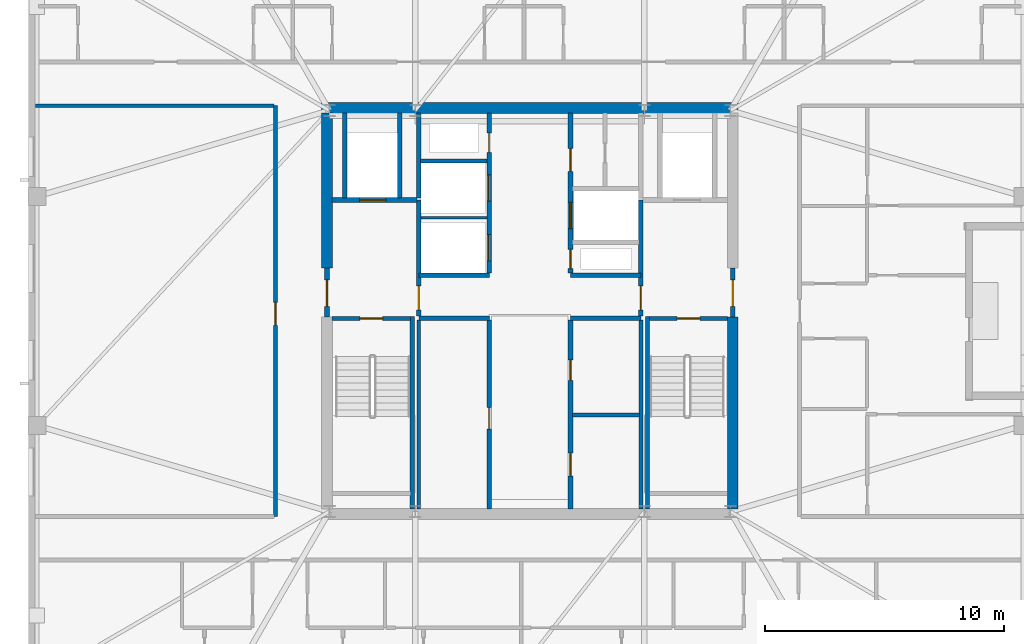
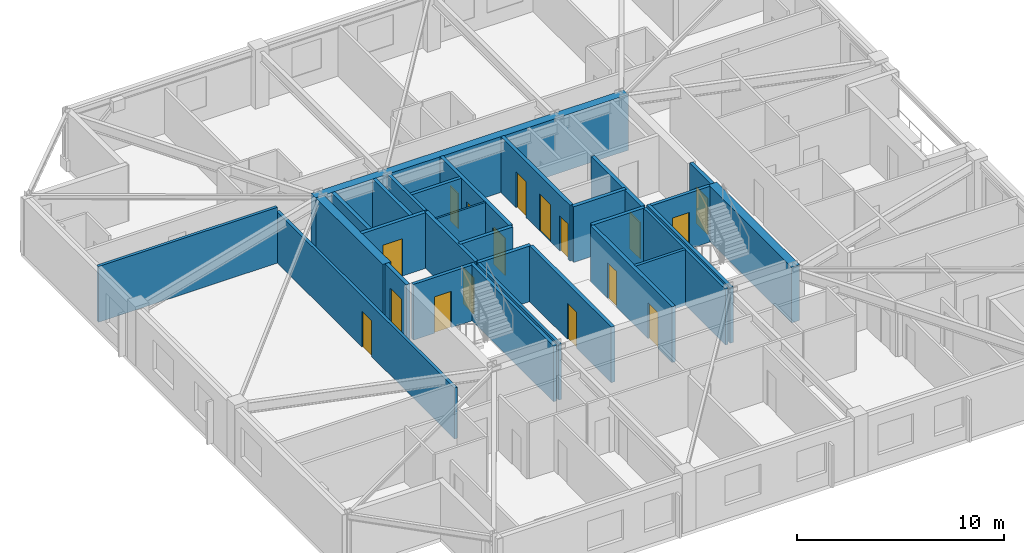
# One storey, part 8 of 15: 30 walls, 17 doors, 17 openings.
"""IFC4 building model written with IfcOpenShell, lengths in metres."""

from ifc_helpers import new_model, si_unit, direction, frame, frame_2d, origin, place, context, subcontext, project, spatial, rectangle, extrude, material, layer, layer_set, type_object, element, fill, save


model = new_model("IFC4")

# Units and contexts
model_context = context("Model", 3, precision=1e-05, world=origin(), true_north=direction((0.0, 1.0)))
body_context = subcontext(model_context, "Body", "Model", "MODEL_VIEW")
ifc_project = project(units=[si_unit("LENGTHUNIT", "METRE"), si_unit("AREAUNIT", "SQUARE_METRE"), si_unit("VOLUMEUNIT", "CUBIC_METRE"), si_unit("PLANEANGLEUNIT", "RADIAN"), si_unit("MASSUNIT", "GRAM", prefix="KILO")], contexts=[model_context])

# Site, building, storey
site_placement = place(None, origin())
site = spatial("IfcSite", under=ifc_project, at=site_placement, CompositionType="ELEMENT")
building_placement = place(site_placement, origin())
building = spatial("IfcBuilding", under=site, at=building_placement, Name="Cairnveth Concourse Tower", CompositionType="ELEMENT")
storey_placement = place(building_placement, frame((0.0, 0.0, 305.0)))
storey = spatial("IfcBuildingStorey", under=building, at=storey_placement, Name="L84", CompositionType="ELEMENT", Elevation=305.0)

# Walls
ifc_material_1 = material(Name="Gypsum Plasterboard Partition", Category="gypsum")
ifc_layer_1 = layer(ifc_material_1, 0.159912109375)
ifc_layer_set_1 = layer_set([ifc_layer_1], Name="Gypsum Plasterboard Partition")
wall_type_1 = type_object("IfcWallType", Name="ACOUSTIC PARTY WALL 180", PredefinedType="PARTITIONING", material=ifc_layer_set_1)
for number, where, z_axis, x_axis, name in (
    (1, (47.35009765625, 30.7099609375, 0.0), (0.0, 0.0, 1.0), (0.0, 1.0, 0.0), "Interior Wall IW-L84-025"),
    (2, (56.64990234375, 30.7099609375, 0.0), (0.0, 0.0, 1.0), (0.0, 1.0, 0.0), "Interior Wall IW-L84-026"),
):
    element("IfcWall", number, at=place(storey_placement, frame(where, z_axis=z_axis, x_axis=x_axis)), inside=storey, type_object=wall_type_1, Name=name, PredefinedType="PARTITIONING", context=body_context, shape_type="SweptSolid", body=[
        extrude(rectangle(XDim=7.905029296875, YDim=0.159912109375, at=frame_2d((3.95263671875, 0.0))), origin(), (0.0, 0.0, 1.0), 3.2900390625),
    ])
wall_1_placement = place(storey_placement, frame((53.784912109375, 34.64990234375, 0.0), z_axis=(0.0, 0.0, 1.0), x_axis=(1.0, 0.0, 0.0)))
element("IfcWall", 3, at=wall_1_placement, inside=storey, type_object=wall_type_1, Name="Interior Wall IW-L84-027", PredefinedType="PARTITIONING", context=body_context, shape_type="SweptSolid", body=[
    extrude(rectangle(XDim=2.800048828125, YDim=0.159912109375, at=frame_2d((1.39990234375, 0.0))), origin(), (0.0, 0.0, 1.0), 3.2900390625),
])

# Wall, opening, door
wall_2_placement = place(storey_placement, frame((41.35009765625, 30.39990234375, 0.0), z_axis=(0.0, 0.0, 1.0), x_axis=(0.0, 1.0, 0.0)))
wall_2 = element("IfcWall", 4, at=wall_2_placement, inside=storey, type_object=wall_type_1, Name="Interior Wall IW-L84-037", PredefinedType="PARTITIONING", context=body_context, shape_type="SweptSolid", body=[
    extrude(rectangle(XDim=17.2001953125, YDim=0.159912109375, at=frame_2d((8.60009765625, 0.0))), origin(), (0.0, 0.0, 1.0), 3.009033203125),
])
opening_1_placement = place(wall_2_placement, frame((8.0, 0.0, 0.0)))
opening_1 = element("IfcOpeningElement", 5, at=opening_1_placement, cuts=wall_2, Name="Opening ID11", PredefinedType="OPENING", context=body_context, shape_type="SweptSolid", body=[
    extrude(rectangle(XDim=0.9599609375, YDim=2.1201171875, at=frame_2d((0.47998046875, 1.06005859375))), frame((0.0, 0.08984375, 0.0), z_axis=(0.0, -1.0, 0.0), x_axis=(1.0, 0.0, 0.0)), (0.0, 0.0, 1.0), 0.179931640625),
])
ifc_material_2 = material(Name="Solid Core Hardwood Timber Leaf", Category="wood")
door_type_1 = type_object("IfcDoorType", Name="INTERIOR SINGLE DOOR 960X2150", OperationType="NOTDEFINED", PredefinedType="DOOR", material=ifc_material_2)
door_1_placement = place(opening_1_placement, origin())
door_1 = element("IfcDoor", 6, at=door_1_placement, inside=storey, type_object=door_type_1, Name="Interior Door DR-L84-044", OperationType="SINGLE_SWING_RIGHT", OverallHeight=2.1201171875, OverallWidth=0.9599609375, PredefinedType="DOOR", context=body_context, shape_type="SweptSolid", body=[
    extrude(rectangle(XDim=0.9599609375, YDim=2.1201171875, at=frame_2d((0.47998046875, 1.06005859375))), frame((0.0, 0.02490234375, 0.0), z_axis=(0.0, -1.0, 0.0), x_axis=(1.0, 0.0, 0.0)), (0.0, 0.0, 1.0), 0.050048828125),
])
fill(opening_1, door_1)

# Walls
wall_3_placement = place(storey_placement, frame((31.284912109375, 47.60009765625, 0.0), z_axis=(0.0, 0.0, 1.0), x_axis=(1.0, 0.0, 0.0)))
element("IfcWall", 7, at=wall_3_placement, inside=storey, type_object=wall_type_1, Name="Interior Wall IW-L84-040", PredefinedType="PARTITIONING", context=body_context, shape_type="SweptSolid", body=[
    extrude(rectangle(XDim=10.0, YDim=0.159912109375, at=frame_2d((5.0, 0.0))), origin(), (0.0, 0.0, 1.0), 3.2900390625),
])
ifc_material_3 = material(Name="Concrete N65 (65 MPa)", Category="concrete")
ifc_layer_2 = layer(ifc_material_3, 0.449951171875)
ifc_layer_set_2 = layer_set([ifc_layer_2], Name="Concrete N65 (65 MPa)")
wall_type_2 = type_object("IfcWallType", Name="CORE SHEAR WALL 450", PredefinedType="SHEAR", material=ifc_layer_set_2)
wall_4_placement = place(storey_placement, frame((43.27490234375, 47.5, 0.0), z_axis=(0.0, 0.0, 1.0), x_axis=(1.0, 0.0, 0.0)))
element("IfcWall", 8, at=wall_4_placement, inside=storey, type_object=wall_type_2, Name="Core North Shear Wall L84", PredefinedType="SHEAR", context=body_context, shape_type="SweptSolid", body=[
    extrude(rectangle(XDim=17.4501953125, YDim=0.449951171875, at=frame_2d((8.72509765625, 0.0))), origin(), (0.0, 0.0, 1.0), 3.2900390625),
])
wall_5_placement = place(storey_placement, frame((43.5, 40.800048828125, 0.0), z_axis=(0.0, 0.0, 1.0), x_axis=(0.0, 1.0, 0.0)))
element("IfcWall", 9, at=wall_5_placement, inside=storey, type_object=wall_type_2, Name="Core West Shear Wall N L84", PredefinedType="SHEAR", context=body_context, shape_type="SweptSolid", body=[
    extrude(rectangle(XDim=6.48486328125, YDim=0.449951171875, at=frame_2d((3.242431640625, 0.0))), origin(), (0.0, 0.0, 1.0), 3.2900390625),
])
wall_6_placement = place(storey_placement, frame((60.5, 30.715087890625, 0.0), z_axis=(0.0, 0.0, 1.0), x_axis=(0.0, 1.0, 0.0)))
element("IfcWall", 10, at=wall_6_placement, inside=storey, type_object=wall_type_2, Name="Core East Shear Wall S L84", PredefinedType="SHEAR", context=body_context, shape_type="SweptSolid", body=[
    extrude(rectangle(XDim=8.034912109375, YDim=0.449951171875, at=frame_2d((4.017578125, 0.0))), origin(), (0.0, 0.0, 1.0), 3.2900390625),
])
ifc_material_4 = material(Name="Concrete N50 (50 MPa)", Category="concrete")
ifc_layer_3 = layer(ifc_material_4, 0.179931640625)
ifc_layer_set_3 = layer_set([ifc_layer_3], Name="Concrete N50 (50 MPa)")
wall_type_3 = type_object("IfcWallType", Name="FIRE SHAFT WALL 180", PredefinedType="SOLIDWALL", material=ifc_layer_set_3)
wall_7_placement = place(storey_placement, frame((47.35009765625, 43.735107421875, 0.0), z_axis=(0.0, 0.0, 1.0), x_axis=(0.0, 1.0, 0.0)))
element("IfcWall", 11, at=wall_7_placement, inside=storey, type_object=wall_type_3, Name="Interior Wall IW-L84-028", PredefinedType="SOLIDWALL", context=body_context, shape_type="SweptSolid", body=[
    extrude(rectangle(XDim=3.554931640625, YDim=0.179931640625, at=frame_2d((1.77734375, 0.0))), origin(), (0.0, 0.0, 1.0), 3.2900390625),
])
wall_8_placement = place(storey_placement, frame((47.425048828125, 45.280029296875, 0.0), z_axis=(0.0, 0.0, 1.0), x_axis=(1.0, 0.0, 0.0)))
element("IfcWall", 12, at=wall_8_placement, inside=storey, type_object=wall_type_3, Name="Interior Wall IW-L84-030", PredefinedType="SOLIDWALL", context=body_context, shape_type="SweptSolid", body=[
    extrude(rectangle(XDim=2.7900390625, YDim=0.179931640625, at=frame_2d((1.39501953125, 0.0))), origin(), (0.0, 0.0, 1.0), 3.2900390625),
])

# Wall, opening, door
wall_9_placement = place(storey_placement, frame((43.715087890625, 38.68994140625, 0.0), z_axis=(0.0, 0.0, 1.0), x_axis=(1.0, 0.0, 0.0)))
wall_9 = element("IfcWall", 13, at=wall_9_placement, inside=storey, type_object=wall_type_3, Name="Stair ST-1 Shaft Wall NEAR L84", PredefinedType="SOLIDWALL", context=body_context, shape_type="SweptSolid", body=[
    extrude(rectangle(XDim=3.280029296875, YDim=0.179931640625, at=frame_2d((1.64013671875, 0.0))), origin(), (0.0, 0.0, 1.0), 3.2900390625),
])
opening_2_placement = place(wall_9_placement, frame((1.1650390625, 0.0, 0.0)))
opening_2 = element("IfcOpeningElement", 14, at=opening_2_placement, cuts=wall_9, Name="Opening ID12", PredefinedType="OPENING", context=body_context, shape_type="SweptSolid", body=[
    extrude(rectangle(XDim=0.949951171875, YDim=2.14990234375, at=frame_2d((0.47509765625, 1.074951171875))), frame((0.0, 0.099853515625, 0.0), z_axis=(0.0, -1.0, 0.0), x_axis=(1.0, 0.0, 0.0)), (0.0, 0.0, 1.0), 0.199951171875),
])
ifc_material_5 = material(Name="Steel Grade 350", Category="steel")
door_type_2 = type_object("IfcDoorType", Name="FIRE STAIR DOOR 950X2150", OperationType="NOTDEFINED", PredefinedType="DOOR", material=ifc_material_5)
door_2_placement = place(opening_2_placement, origin())
door_2 = element("IfcDoor", 15, at=door_2_placement, inside=storey, type_object=door_type_2, Name="Stair ST-1 Fire Door L84", OperationType="SINGLE_SWING_LEFT", OverallHeight=2.14990234375, OverallWidth=0.949951171875, PredefinedType="DOOR", context=body_context, shape_type="SweptSolid", body=[
    extrude(rectangle(XDim=0.949951171875, YDim=2.14990234375, at=frame_2d((0.47509765625, 1.074951171875))), frame((0.0, 0.02490234375, 0.0), z_axis=(0.0, -1.0, 0.0), x_axis=(1.0, 0.0, 0.0)), (0.0, 0.0, 1.0), 0.050048828125),
])
fill(opening_2, door_2)

# Wall
wall_10_placement = place(storey_placement, frame((47.070068359375, 38.780029296875, 0.0), z_axis=(0.0, 0.0, 1.0), x_axis=(0.0, -1.0, 0.0)))
element("IfcWall", 16, at=wall_10_placement, inside=storey, type_object=wall_type_3, Name="Stair ST-1 Shaft Wall RGHT L84", PredefinedType="SOLIDWALL", context=body_context, shape_type="SweptSolid", body=[
    extrude(rectangle(XDim=8.067138671875, YDim=0.179931640625, at=frame_2d((4.03369140625, 0.0))), origin(), (0.0, 0.0, 1.0), 3.2900390625),
])

# Wall, opening, door
wall_11_placement = place(storey_placement, frame((57.0048828125, 38.68994140625, 0.0), z_axis=(0.0, 0.0, 1.0), x_axis=(1.0, 0.0, 0.0)))
wall_11 = element("IfcWall", 17, at=wall_11_placement, inside=storey, type_object=wall_type_3, Name="Stair ST-2 Shaft Wall NEAR L84", PredefinedType="SOLIDWALL", context=body_context, shape_type="SweptSolid", body=[
    extrude(rectangle(XDim=3.280029296875, YDim=0.179931640625, at=frame_2d((1.64013671875, 0.0))), origin(), (0.0, 0.0, 1.0), 3.2900390625),
])
opening_3_placement = place(wall_11_placement, frame((1.1650390625, 0.0, 0.0)))
opening_3 = element("IfcOpeningElement", 18, at=opening_3_placement, cuts=wall_11, Name="Opening ID12", PredefinedType="OPENING", context=body_context, shape_type="SweptSolid", body=[
    extrude(rectangle(XDim=0.949951171875, YDim=2.14990234375, at=frame_2d((0.47509765625, 1.074951171875))), frame((0.0, 0.099853515625, 0.0), z_axis=(0.0, -1.0, 0.0), x_axis=(1.0, 0.0, 0.0)), (0.0, 0.0, 1.0), 0.199951171875),
])
door_3_placement = place(opening_3_placement, origin())
door_3 = element("IfcDoor", 19, at=door_3_placement, inside=storey, type_object=door_type_2, Name="Stair ST-2 Fire Door L84", OperationType="SINGLE_SWING_RIGHT", OverallHeight=2.14990234375, OverallWidth=0.949951171875, PredefinedType="DOOR", context=body_context, shape_type="SweptSolid", body=[
    extrude(rectangle(XDim=0.949951171875, YDim=2.14990234375, at=frame_2d((0.47509765625, 1.074951171875))), frame((0.0, 0.02490234375, 0.0), z_axis=(0.0, -1.0, 0.0), x_axis=(1.0, 0.0, 0.0)), (0.0, 0.0, 1.0), 0.050048828125),
])
fill(opening_3, door_3)

# Walls
wall_12_placement = place(storey_placement, frame((56.929931640625, 38.780029296875, 0.0), z_axis=(0.0, 0.0, 1.0), x_axis=(0.0, -1.0, 0.0)))
element("IfcWall", 20, at=wall_12_placement, inside=storey, type_object=wall_type_3, Name="Stair ST-2 Shaft Wall LEFT L84", PredefinedType="SOLIDWALL", context=body_context, shape_type="SweptSolid", body=[
    extrude(rectangle(XDim=8.067138671875, YDim=0.179931640625, at=frame_2d((4.03369140625, 0.0))), origin(), (0.0, 0.0, 1.0), 3.2900390625),
])
ifc_layer_4 = layer(ifc_material_4, 0.199951171875)
ifc_layer_set_4 = layer_set([ifc_layer_4], Name="Concrete N50 (50 MPa)")
wall_type_4 = type_object("IfcWallType", Name="FIRE SHAFT WALL 200", PredefinedType="SOLIDWALL", material=ifc_layer_set_4)
for number, where, z_axis, x_axis, name in (
    (21, (47.35009765625, 38.699951171875, 0.0), (0.0, 0.0, 1.0), (1.0, 0.0, 0.0), "Interior Wall IW-L84-007"),
    (22, (47.35009765625, 40.5, 0.0), (0.0, 0.0, 1.0), (1.0, 0.0, 0.0), "Interior Wall IW-L84-008"),
    (23, (53.699951171875, 38.699951171875, 0.0), (0.0, 0.0, 1.0), (1.0, 0.0, 0.0), "Interior Wall IW-L84-009"),
    (24, (53.699951171875, 40.5, 0.0), (0.0, 0.0, 1.0), (1.0, 0.0, 0.0), "Interior Wall IW-L84-010"),
):
    element("IfcWall", number, at=place(storey_placement, frame(where, z_axis=z_axis, x_axis=x_axis)), inside=storey, type_object=wall_type_4, Name=name, PredefinedType="SOLIDWALL", context=body_context, shape_type="SweptSolid", body=[
        extrude(rectangle(XDim=2.949951171875, YDim=0.199951171875, at=frame_2d((1.47509765625, 0.0))), origin(), (0.0, 0.0, 1.0), 3.2900390625),
    ])

# Wall, opening, door
wall_13_placement = place(storey_placement, frame((50.300048828125, 30.7099609375, 0.0), z_axis=(0.0, 0.0, 1.0), x_axis=(0.0, 1.0, 0.0)))
wall_13 = element("IfcWall", 25, at=wall_13_placement, inside=storey, type_object=wall_type_4, Name="Interior Wall IW-L84-011", PredefinedType="SOLIDWALL", context=body_context, shape_type="SweptSolid", body=[
    extrude(rectangle(XDim=7.905029296875, YDim=0.199951171875, at=frame_2d((3.95263671875, 0.0))), origin(), (0.0, 0.0, 1.0), 3.2900390625),
])
opening_4_placement = place(wall_13_placement, frame((3.340087890625, 0.0, 0.0)))
opening_4 = element("IfcOpeningElement", 26, at=opening_4_placement, cuts=wall_13, Name="Opening ID16", PredefinedType="OPENING", context=body_context, shape_type="SweptSolid", body=[
    extrude(rectangle(XDim=0.89990234375, YDim=2.1201171875, at=frame_2d((0.449951171875, 1.06005859375))), frame((0.0, 0.10986328125, 0.0), z_axis=(0.0, -1.0, 0.0), x_axis=(1.0, 0.0, 0.0)), (0.0, 0.0, 1.0), 0.219970703125),
])
door_type_3 = type_object("IfcDoorType", Name="CORE SERVICE DOOR 900X2100", OperationType="NOTDEFINED", PredefinedType="DOOR", material=ifc_material_5)
door_4_placement = place(opening_4_placement, origin())
door_4 = element("IfcDoor", 27, at=door_4_placement, inside=storey, type_object=door_type_3, Name="Linen Pantry Suite Door L84", OperationType="SINGLE_SWING_LEFT", OverallHeight=2.1201171875, OverallWidth=0.89990234375, PredefinedType="DOOR", context=body_context, shape_type="SweptSolid", body=[
    extrude(rectangle(XDim=0.89990234375, YDim=2.1201171875, at=frame_2d((0.449951171875, 1.06005859375))), frame((0.0, 0.02490234375, 0.0), z_axis=(0.0, -1.0, 0.0), x_axis=(1.0, 0.0, 0.0)), (0.0, 0.0, 1.0), 0.050048828125),
])
fill(opening_4, door_4)

# Wall, openings, doors
wall_14_placement = place(storey_placement, frame((53.699951171875, 30.7099609375, 0.0), z_axis=(0.0, 0.0, 1.0), x_axis=(0.0, 1.0, 0.0)))
wall_14 = element("IfcWall", 28, at=wall_14_placement, inside=storey, type_object=wall_type_4, Name="Interior Wall IW-L84-012", PredefinedType="SOLIDWALL", context=body_context, shape_type="SweptSolid", body=[
    extrude(rectangle(XDim=7.905029296875, YDim=0.199951171875, at=frame_2d((3.95263671875, 0.0))), origin(), (0.0, 0.0, 1.0), 3.2900390625),
])
opening_5_placement = place(wall_14_placement, frame((1.389892578125, 0.0, 0.0)))
opening_5 = element("IfcOpeningElement", 29, at=opening_5_placement, cuts=wall_14, Name="Opening ID25", PredefinedType="OPENING", context=body_context, shape_type="SweptSolid", body=[
    extrude(rectangle(XDim=0.949951171875, YDim=2.1201171875, at=frame_2d((0.47509765625, 1.06005859375))), frame((0.0, 0.10986328125, 0.0), z_axis=(0.0, -1.0, 0.0), x_axis=(1.0, 0.0, 0.0)), (0.0, 0.0, 1.0), 0.219970703125),
])
opening_6_placement = place(wall_14_placement, frame((5.389892578125, 0.0, 0.0)))
opening_6 = element("IfcOpeningElement", 30, at=opening_6_placement, cuts=wall_14, Name="Opening ID19", PredefinedType="OPENING", context=body_context, shape_type="SweptSolid", body=[
    extrude(rectangle(XDim=0.85009765625, YDim=2.1201171875, at=frame_2d((0.425048828125, 1.06005859375))), frame((0.0, 0.10986328125, 0.0), z_axis=(0.0, -1.0, 0.0), x_axis=(1.0, 0.0, 0.0)), (0.0, 0.0, 1.0), 0.219970703125),
])
door_type_4 = type_object("IfcDoorType", Name="CORE ACCESSIBLE FIRE DOOR 950X2120", OperationType="NOTDEFINED", PredefinedType="DOOR", material=ifc_material_5)
door_5_placement = place(opening_5_placement, origin())
door_5 = element("IfcDoor", 31, at=door_5_placement, inside=storey, type_object=door_type_4, Name="Sky WC Door L84", OperationType="SINGLE_SWING_RIGHT", OverallHeight=2.1201171875, OverallWidth=0.949951171875, PredefinedType="DOOR", context=body_context, shape_type="SweptSolid", body=[
    extrude(rectangle(XDim=0.949951171875, YDim=2.1201171875, at=frame_2d((0.47509765625, 1.06005859375))), frame((0.0, 0.02490234375, 0.0), z_axis=(0.0, -1.0, 0.0), x_axis=(1.0, 0.0, 0.0)), (0.0, 0.0, 1.0), 0.050048828125),
])
fill(opening_5, door_5)
door_type_5 = type_object("IfcDoorType", Name="CORE SERVICE DOOR 850X2100", OperationType="NOTDEFINED", PredefinedType="DOOR", material=ifc_material_5)
door_6_placement = place(opening_6_placement, origin())
door_6 = element("IfcDoor", 32, at=door_6_placement, inside=storey, type_object=door_type_5, Name="Janitor Door L84", OperationType="SINGLE_SWING_LEFT", OverallHeight=2.1201171875, OverallWidth=0.85009765625, PredefinedType="DOOR", context=body_context, shape_type="SweptSolid", body=[
    extrude(rectangle(XDim=0.85009765625, YDim=2.1201171875, at=frame_2d((0.425048828125, 1.06005859375))), frame((0.0, 0.02490234375, 0.0), z_axis=(0.0, -1.0, 0.0), x_axis=(1.0, 0.0, 0.0)), (0.0, 0.0, 1.0), 0.050048828125),
])
fill(opening_6, door_6)

wall_15_placement = place(storey_placement, frame((50.300048828125, 40.5849609375, 0.0), z_axis=(0.0, 0.0, 1.0), x_axis=(0.0, 1.0, 0.0)))
wall_15 = element("IfcWall", 33, at=wall_15_placement, inside=storey, type_object=wall_type_4, Name="Interior Wall IW-L84-013", PredefinedType="SOLIDWALL", context=body_context, shape_type="SweptSolid", body=[
    extrude(rectangle(XDim=6.705078125, YDim=0.199951171875, at=frame_2d((3.3525390625, 0.0))), origin(), (0.0, 0.0, 1.0), 3.2900390625),
])
opening_7_placement = place(wall_15_placement, frame((0.514892578125, 0.0, 0.0)))
opening_7 = element("IfcOpeningElement", 34, at=opening_7_placement, cuts=wall_15, Name="Opening LD-1", PredefinedType="OPENING", context=body_context, shape_type="SweptSolid", body=[
    extrude(rectangle(XDim=1.10009765625, YDim=2.199951171875, at=frame_2d((0.550048828125, 1.10009765625))), frame((0.0, 0.10986328125, 0.0), z_axis=(0.0, -1.0, 0.0), x_axis=(1.0, 0.0, 0.0)), (0.0, 0.0, 1.0), 0.219970703125),
])
opening_8_placement = place(wall_15_placement, frame((3.014892578125, 0.0, 0.0)))
opening_8 = element("IfcOpeningElement", 35, at=opening_8_placement, cuts=wall_15, Name="Opening LD-1", PredefinedType="OPENING", context=body_context, shape_type="SweptSolid", body=[
    extrude(rectangle(XDim=1.10009765625, YDim=2.199951171875, at=frame_2d((0.550048828125, 1.10009765625))), frame((0.0, 0.10986328125, 0.0), z_axis=(0.0, -1.0, 0.0), x_axis=(1.0, 0.0, 0.0)), (0.0, 0.0, 1.0), 0.219970703125),
])
opening_9_placement = place(wall_15_placement, frame((5.06494140625, 0.0, 0.0)))
opening_9 = element("IfcOpeningElement", 36, at=opening_9_placement, cuts=wall_15, Name="Opening ID24", PredefinedType="OPENING", context=body_context, shape_type="SweptSolid", body=[
    extrude(rectangle(XDim=0.800048828125, YDim=2.080078125, at=frame_2d((0.39990234375, 1.0400390625))), frame((0.0, 0.10986328125, 0.0), z_axis=(0.0, -1.0, 0.0), x_axis=(1.0, 0.0, 0.0)), (0.0, 0.0, 1.0), 0.219970703125),
])
ifc_material_6 = material(Name="Architectural Bronze Anodised Aluminium 6063-T6", Category="aluminium")
door_type_6 = type_object("IfcDoorType", Name="LIFT LANDING DOOR 1100X2200", OperationType="SLIDING_TO_LEFT", PredefinedType="DOOR", material=ifc_material_6)
door_7_placement = place(opening_7_placement, origin())
door_7 = element("IfcDoor", 37, at=door_7_placement, inside=storey, type_object=door_type_6, Name="Lift PL7 Landing Door L84", OperationType="SLIDING_TO_LEFT", OverallHeight=2.199951171875, OverallWidth=1.10009765625, PredefinedType="DOOR", context=body_context, shape_type="SweptSolid", body=[
    extrude(rectangle(XDim=1.10009765625, YDim=2.199951171875, at=frame_2d((0.550048828125, 1.10009765625))), frame((0.0, 0.02490234375, 0.0), z_axis=(0.0, -1.0, 0.0), x_axis=(1.0, 0.0, 0.0)), (0.0, 0.0, 1.0), 0.050048828125),
])
fill(opening_7, door_7)
door_8_placement = place(opening_8_placement, origin())
door_8 = element("IfcDoor", 38, at=door_8_placement, inside=storey, type_object=door_type_6, Name="Lift PL8 Landing Door L84", OperationType="SLIDING_TO_LEFT", OverallHeight=2.199951171875, OverallWidth=1.10009765625, PredefinedType="DOOR", context=body_context, shape_type="SweptSolid", body=[
    extrude(rectangle(XDim=1.10009765625, YDim=2.199951171875, at=frame_2d((0.550048828125, 1.10009765625))), frame((0.0, 0.02490234375, 0.0), z_axis=(0.0, -1.0, 0.0), x_axis=(1.0, 0.0, 0.0)), (0.0, 0.0, 1.0), 0.050048828125),
])
fill(opening_8, door_8)
door_type_7 = type_object("IfcDoorType", Name="RISER ACCESS DOOR 800X2100", OperationType="NOTDEFINED", PredefinedType="DOOR", material=ifc_material_5)
door_9_placement = place(opening_9_placement, origin())
door_9 = element("IfcDoor", 39, at=door_9_placement, inside=storey, type_object=door_type_7, Name="NW Electrical Riser Access Door L84", OperationType="SINGLE_SWING_RIGHT", OverallHeight=2.080078125, OverallWidth=0.800048828125, PredefinedType="DOOR", context=body_context, shape_type="SweptSolid", body=[
    extrude(rectangle(XDim=0.800048828125, YDim=2.080078125, at=frame_2d((0.39990234375, 1.0400390625))), frame((0.0, 0.02490234375, 0.0), z_axis=(0.0, -1.0, 0.0), x_axis=(1.0, 0.0, 0.0)), (0.0, 0.0, 1.0), 0.050048828125),
])
fill(opening_9, door_9)

wall_16_placement = place(storey_placement, frame((53.699951171875, 40.5849609375, 0.0), z_axis=(0.0, 0.0, 1.0), x_axis=(0.0, 1.0, 0.0)))
wall_16 = element("IfcWall", 40, at=wall_16_placement, inside=storey, type_object=wall_type_4, Name="Interior Wall IW-L84-014", PredefinedType="SOLIDWALL", context=body_context, shape_type="SweptSolid", body=[
    extrude(rectangle(XDim=6.705078125, YDim=0.199951171875, at=frame_2d((3.3525390625, 0.0))), origin(), (0.0, 0.0, 1.0), 3.2900390625),
])
opening_10_placement = place(wall_16_placement, frame((0.195068359375, 0.0, 0.0)))
opening_10 = element("IfcOpeningElement", 41, at=opening_10_placement, cuts=wall_16, Name="Opening ID24", PredefinedType="OPENING", context=body_context, shape_type="SweptSolid", body=[
    extrude(rectangle(XDim=0.800048828125, YDim=2.080078125, at=frame_2d((0.39990234375, 1.0400390625))), frame((0.0, 0.10986328125, 0.0), z_axis=(0.0, -1.0, 0.0), x_axis=(1.0, 0.0, 0.0)), (0.0, 0.0, 1.0), 0.219970703125),
])
opening_11_placement = place(wall_16_placement, frame((1.864990234375, 0.0, 0.0)))
opening_11 = element("IfcOpeningElement", 42, at=opening_11_placement, cuts=wall_16, Name="Opening LD-1", PredefinedType="OPENING", context=body_context, shape_type="SweptSolid", body=[
    extrude(rectangle(XDim=1.10009765625, YDim=2.199951171875, at=frame_2d((0.550048828125, 1.10009765625))), frame((0.0, 0.10986328125, 0.0), z_axis=(0.0, -1.0, 0.0), x_axis=(1.0, 0.0, 0.0)), (0.0, 0.0, 1.0), 0.219970703125),
])
opening_12_placement = place(wall_16_placement, frame((4.264892578125, 0.0, 0.0)))
opening_12 = element("IfcOpeningElement", 43, at=opening_12_placement, cuts=wall_16, Name="Opening ID25", PredefinedType="OPENING", context=body_context, shape_type="SweptSolid", body=[
    extrude(rectangle(XDim=0.949951171875, YDim=2.1201171875, at=frame_2d((0.47509765625, 1.06005859375))), frame((0.0, 0.10986328125, 0.0), z_axis=(0.0, -1.0, 0.0), x_axis=(1.0, 0.0, 0.0)), (0.0, 0.0, 1.0), 0.219970703125),
])
door_10_placement = place(opening_12_placement, origin())
door_10 = element("IfcDoor", 44, at=door_10_placement, inside=storey, type_object=door_type_4, Name="Core NE Restroom Door L84", OperationType="SINGLE_SWING_LEFT", OverallHeight=2.1201171875, OverallWidth=0.949951171875, PredefinedType="DOOR", context=body_context, shape_type="SweptSolid", body=[
    extrude(rectangle(XDim=0.949951171875, YDim=2.1201171875, at=frame_2d((0.47509765625, 1.06005859375))), frame((0.0, 0.02490234375, 0.0), z_axis=(0.0, -1.0, 0.0), x_axis=(1.0, 0.0, 0.0)), (0.0, 0.0, 1.0), 0.050048828125),
])
fill(opening_12, door_10)
door_11_placement = place(opening_11_placement, origin())
door_11 = element("IfcDoor", 45, at=door_11_placement, inside=storey, type_object=door_type_6, Name="Lift PL9 Landing Door L84", OperationType="SLIDING_TO_LEFT", OverallHeight=2.199951171875, OverallWidth=1.10009765625, PredefinedType="DOOR", context=body_context, shape_type="SweptSolid", body=[
    extrude(rectangle(XDim=1.10009765625, YDim=2.199951171875, at=frame_2d((0.550048828125, 1.10009765625))), frame((0.0, 0.02490234375, 0.0), z_axis=(0.0, -1.0, 0.0), x_axis=(1.0, 0.0, 0.0)), (0.0, 0.0, 1.0), 0.050048828125),
])
fill(opening_11, door_11)
door_12_placement = place(opening_10_placement, origin())
door_12 = element("IfcDoor", 46, at=door_12_placement, inside=storey, type_object=door_type_7, Name="Hydraulic Riser Door L84", OperationType="SINGLE_SWING_LEFT", OverallHeight=2.080078125, OverallWidth=0.800048828125, PredefinedType="DOOR", context=body_context, shape_type="SweptSolid", body=[
    extrude(rectangle(XDim=0.800048828125, YDim=2.080078125, at=frame_2d((0.39990234375, 1.0400390625))), frame((0.0, 0.02490234375, 0.0), z_axis=(0.0, -1.0, 0.0), x_axis=(1.0, 0.0, 0.0)), (0.0, 0.0, 1.0), 0.050048828125),
])
fill(opening_10, door_12)

# Wall, opening, door
wall_17_placement = place(storey_placement, frame((43.5, 38.75, 0.0), z_axis=(0.0, 0.0, 1.0), x_axis=(0.0, 1.0, 0.0)))
wall_17 = element("IfcWall", 47, at=wall_17_placement, inside=storey, type_object=wall_type_4, Name="Interior Wall IW-L84-015", PredefinedType="SOLIDWALL", context=body_context, shape_type="SweptSolid", body=[
    extrude(rectangle(XDim=2.050048828125, YDim=0.199951171875, at=frame_2d((1.02490234375, 0.0))), origin(), (0.0, 0.0, 1.0), 3.2900390625),
])
opening_13_placement = place(wall_17_placement, frame((0.449951171875, 0.0, 0.0)))
opening_13 = element("IfcOpeningElement", 48, at=opening_13_placement, cuts=wall_17, Name="Opening ID06", PredefinedType="OPENING", context=body_context, shape_type="SweptSolid", body=[
    extrude(rectangle(XDim=1.10009765625, YDim=2.14990234375, at=frame_2d((0.550048828125, 1.074951171875))), frame((0.0, 0.10986328125, 0.0), z_axis=(0.0, -1.0, 0.0), x_axis=(1.0, 0.0, 0.0)), (0.0, 0.0, 1.0), 0.219970703125),
])
door_type_8 = type_object("IfcDoorType", Name="FIRE CORRIDOR DOOR 1100X2150", OperationType="NOTDEFINED", PredefinedType="DOOR", material=ifc_material_5)
door_13_placement = place(opening_13_placement, origin())
door_13 = element("IfcDoor", 49, at=door_13_placement, inside=storey, type_object=door_type_8, Name="West Wing to FF Lobby Door L84", OperationType="SINGLE_SWING_LEFT", OverallHeight=2.14990234375, OverallWidth=1.10009765625, PredefinedType="DOOR", context=body_context, shape_type="SweptSolid", body=[
    extrude(rectangle(XDim=1.10009765625, YDim=2.14990234375, at=frame_2d((0.550048828125, 1.074951171875))), frame((0.0, 0.02490234375, 0.0), z_axis=(0.0, -1.0, 0.0), x_axis=(1.0, 0.0, 0.0)), (0.0, 0.0, 1.0), 0.050048828125),
])
fill(opening_13, door_13)

wall_18_placement = place(storey_placement, frame((47.35009765625, 38.784912109375, 0.0), z_axis=(0.0, 0.0, 1.0), x_axis=(0.0, 1.0, 0.0)))
wall_18 = element("IfcWall", 50, at=wall_18_placement, inside=storey, type_object=wall_type_4, Name="Interior Wall IW-L84-016", PredefinedType="SOLIDWALL", context=body_context, shape_type="SweptSolid", body=[
    extrude(rectangle(XDim=4.864990234375, YDim=0.199951171875, at=frame_2d((2.4326171875, 0.0))), origin(), (0.0, 0.0, 1.0), 3.2900390625),
])
opening_14_placement = place(wall_18_placement, frame((0.264892578125, 0.0, 0.0)))
opening_14 = element("IfcOpeningElement", 51, at=opening_14_placement, cuts=wall_18, Name="Opening ID07", PredefinedType="OPENING", context=body_context, shape_type="SweptSolid", body=[
    extrude(rectangle(XDim=1.0, YDim=2.14990234375, at=frame_2d((0.5, 1.074951171875))), frame((0.0, 0.10986328125, 0.0), z_axis=(0.0, -1.0, 0.0), x_axis=(1.0, 0.0, 0.0)), (0.0, 0.0, 1.0), 0.219970703125),
])
door_type_9 = type_object("IfcDoorType", Name="FIRE CORRIDOR DOOR 1000X2150", OperationType="NOTDEFINED", PredefinedType="DOOR", material=ifc_material_5)
door_14_placement = place(opening_14_placement, origin())
door_14 = element("IfcDoor", 52, at=door_14_placement, inside=storey, type_object=door_type_9, Name="FF Lobby West to Lift Lobby Door L84", OperationType="SINGLE_SWING_RIGHT", OverallHeight=2.14990234375, OverallWidth=1.0, PredefinedType="DOOR", context=body_context, shape_type="SweptSolid", body=[
    extrude(rectangle(XDim=1.0, YDim=2.14990234375, at=frame_2d((0.5, 1.074951171875))), frame((0.0, 0.02490234375, 0.0), z_axis=(0.0, -1.0, 0.0), x_axis=(1.0, 0.0, 0.0)), (0.0, 0.0, 1.0), 0.050048828125),
])
fill(opening_14, door_14)

wall_19_placement = place(storey_placement, frame((43.7099609375, 43.64990234375, 0.0), z_axis=(0.0, 0.0, 1.0), x_axis=(1.0, 0.0, 0.0)))
wall_19 = element("IfcWall", 53, at=wall_19_placement, inside=storey, type_object=wall_type_4, Name="Interior Wall IW-L84-017", PredefinedType="SOLIDWALL", context=body_context, shape_type="SweptSolid", body=[
    extrude(rectangle(XDim=3.554931640625, YDim=0.199951171875, at=frame_2d((1.77734375, 0.0))), origin(), (0.0, 0.0, 1.0), 3.2900390625),
])
opening_15_placement = place(wall_19_placement, frame((1.159912109375, 0.0, 0.0)))
opening_15 = element("IfcOpeningElement", 54, at=opening_15_placement, cuts=wall_19, Name="Opening LD-1", PredefinedType="OPENING", context=body_context, shape_type="SweptSolid", body=[
    extrude(rectangle(XDim=1.10009765625, YDim=2.199951171875, at=frame_2d((0.550048828125, 1.10009765625))), frame((0.0, 0.10986328125, 0.0), z_axis=(0.0, -1.0, 0.0), x_axis=(1.0, 0.0, 0.0)), (0.0, 0.0, 1.0), 0.219970703125),
])
door_15_placement = place(opening_15_placement, origin())
door_15 = element("IfcDoor", 55, at=door_15_placement, inside=storey, type_object=door_type_6, Name="Lift FFL1 Landing Door L84", OperationType="SLIDING_TO_LEFT", OverallHeight=2.199951171875, OverallWidth=1.10009765625, PredefinedType="DOOR", context=body_context, shape_type="SweptSolid", body=[
    extrude(rectangle(XDim=1.10009765625, YDim=2.199951171875, at=frame_2d((0.550048828125, 1.10009765625))), frame((0.0, 0.02490234375, 0.0), z_axis=(0.0, -1.0, 0.0), x_axis=(1.0, 0.0, 0.0)), (0.0, 0.0, 1.0), 0.050048828125),
])
fill(opening_15, door_15)

# Walls
for number, where, z_axis, x_axis, name in (
    (56, (46.550048828125, 43.735107421875, 0.0), (0.0, 0.0, 1.0), (0.0, 1.0, 0.0), "Interior Wall IW-L84-018"),
    (57, (44.25, 43.735107421875, 0.0), (0.0, 0.0, 1.0), (0.0, 1.0, 0.0), "Interior Wall IW-L84-019"),
):
    element("IfcWall", number, at=place(storey_placement, frame(where, z_axis=z_axis, x_axis=x_axis)), inside=storey, type_object=wall_type_4, Name=name, PredefinedType="SOLIDWALL", context=body_context, shape_type="SweptSolid", body=[
        extrude(rectangle(XDim=3.554931640625, YDim=0.199951171875, at=frame_2d((1.77734375, 0.0))), origin(), (0.0, 0.0, 1.0), 3.2900390625),
    ])

# Wall, opening, door
wall_20_placement = place(storey_placement, frame((60.5, 38.75, 0.0), z_axis=(0.0, 0.0, 1.0), x_axis=(0.0, 1.0, 0.0)))
wall_20 = element("IfcWall", 58, at=wall_20_placement, inside=storey, type_object=wall_type_4, Name="Interior Wall IW-L84-020", PredefinedType="SOLIDWALL", context=body_context, shape_type="SweptSolid", body=[
    extrude(rectangle(XDim=2.050048828125, YDim=0.199951171875, at=frame_2d((1.02490234375, 0.0))), origin(), (0.0, 0.0, 1.0), 3.2900390625),
])
opening_16_placement = place(wall_20_placement, frame((0.449951171875, 0.0, 0.0)))
opening_16 = element("IfcOpeningElement", 59, at=opening_16_placement, cuts=wall_20, Name="Opening ID06", PredefinedType="OPENING", context=body_context, shape_type="SweptSolid", body=[
    extrude(rectangle(XDim=1.10009765625, YDim=2.14990234375, at=frame_2d((0.550048828125, 1.074951171875))), frame((0.0, 0.10986328125, 0.0), z_axis=(0.0, -1.0, 0.0), x_axis=(1.0, 0.0, 0.0)), (0.0, 0.0, 1.0), 0.219970703125),
])
door_16_placement = place(opening_16_placement, origin())
door_16 = element("IfcDoor", 60, at=door_16_placement, inside=storey, type_object=door_type_8, Name="East Wing to FF Lobby Door L84", OperationType="SINGLE_SWING_RIGHT", OverallHeight=2.14990234375, OverallWidth=1.10009765625, PredefinedType="DOOR", context=body_context, shape_type="SweptSolid", body=[
    extrude(rectangle(XDim=1.10009765625, YDim=2.14990234375, at=frame_2d((0.550048828125, 1.074951171875))), frame((0.0, 0.02490234375, 0.0), z_axis=(0.0, -1.0, 0.0), x_axis=(1.0, 0.0, 0.0)), (0.0, 0.0, 1.0), 0.050048828125),
])
fill(opening_16, door_16)

wall_21_placement = place(storey_placement, frame((56.64990234375, 38.784912109375, 0.0), z_axis=(0.0, 0.0, 1.0), x_axis=(0.0, 1.0, 0.0)))
wall_21 = element("IfcWall", 61, at=wall_21_placement, inside=storey, type_object=wall_type_4, Name="Interior Wall IW-L84-021", PredefinedType="SOLIDWALL", context=body_context, shape_type="SweptSolid", body=[
    extrude(rectangle(XDim=4.864990234375, YDim=0.199951171875, at=frame_2d((2.4326171875, 0.0))), origin(), (0.0, 0.0, 1.0), 3.2900390625),
])
opening_17_placement = place(wall_21_placement, frame((0.264892578125, 0.0, 0.0)))
opening_17 = element("IfcOpeningElement", 62, at=opening_17_placement, cuts=wall_21, Name="Opening ID07", PredefinedType="OPENING", context=body_context, shape_type="SweptSolid", body=[
    extrude(rectangle(XDim=1.0, YDim=2.14990234375, at=frame_2d((0.5, 1.074951171875))), frame((0.0, 0.10986328125, 0.0), z_axis=(0.0, -1.0, 0.0), x_axis=(1.0, 0.0, 0.0)), (0.0, 0.0, 1.0), 0.219970703125),
])
door_17_placement = place(opening_17_placement, origin())
door_17 = element("IfcDoor", 63, at=door_17_placement, inside=storey, type_object=door_type_9, Name="FF Lobby East to Lift Lobby Door L84", OperationType="SINGLE_SWING_LEFT", OverallHeight=2.14990234375, OverallWidth=1.0, PredefinedType="DOOR", context=body_context, shape_type="SweptSolid", body=[
    extrude(rectangle(XDim=1.0, YDim=2.14990234375, at=frame_2d((0.5, 1.074951171875))), frame((0.0, 0.02490234375, 0.0), z_axis=(0.0, -1.0, 0.0), x_axis=(1.0, 0.0, 0.0)), (0.0, 0.0, 1.0), 0.050048828125),
])
fill(opening_17, door_17)

# Wall
ifc_layer_5 = layer(ifc_material_1, 0.110107421875)
ifc_layer_set_5 = layer_set([ifc_layer_5], Name="Gypsum Plasterboard Partition")
wall_type_5 = type_object("IfcWallType", Name="SHAFT DIVIDER WALL 140", PredefinedType="PARTITIONING", material=ifc_layer_set_5)
wall_22_placement = place(storey_placement, frame((47.43505859375, 42.89990234375, 0.0), z_axis=(0.0, 0.0, 1.0), x_axis=(1.0, 0.0, 0.0)))
element("IfcWall", 64, at=wall_22_placement, inside=storey, type_object=wall_type_5, Name="Interior Wall IW-L84-029", PredefinedType="PARTITIONING", context=body_context, shape_type="SweptSolid", body=[
    extrude(rectangle(XDim=2.780029296875, YDim=0.110107421875, at=frame_2d((1.39013671875, 0.0))), origin(), (0.0, 0.0, 1.0), 3.2900390625),
])

save(model, "model.ifc")
